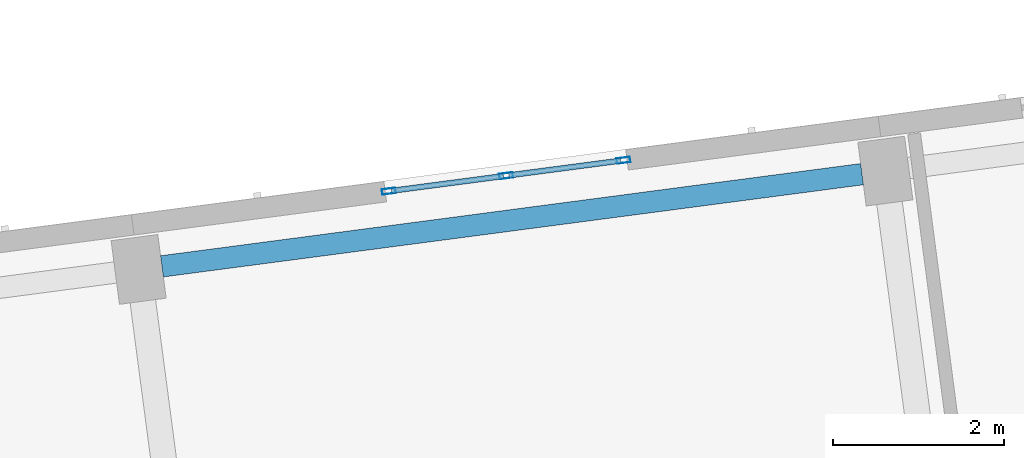
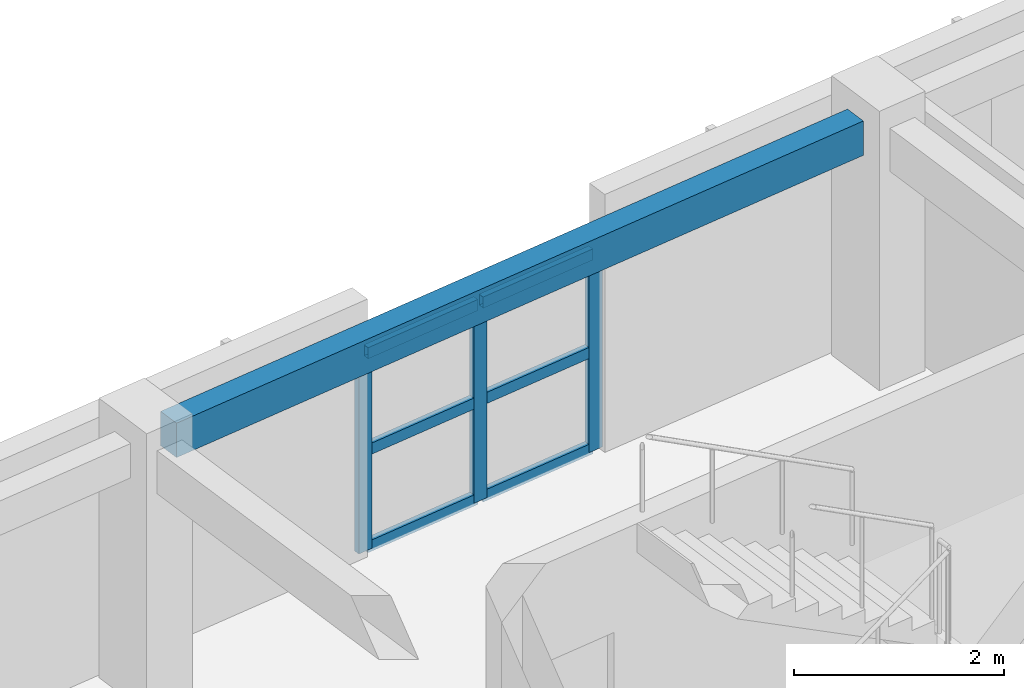
# One storey, part 5 of 64: 9 members, 1 beam, 1 element without a shape of its own.
"""IFC4 building model written with IfcOpenShell, lengths in metres."""

from ifc_helpers import new_model, si_unit, direction, frame, origin, origin_2d, place, context, subcontext, project, spatial, rectangle, hollow_rectangle, extrude, material, material_profile, profile_set, type_object, element, aggregate, save


model = new_model("IFC4")

# Units and contexts
model_context = context("Model", 3, precision=1e-05, world=origin(), true_north=direction((0.0, 1.0)))
body_context = subcontext(model_context, "Body", "Model", "MODEL_VIEW")
ifc_project = project(units=[si_unit("LENGTHUNIT", "METRE"), si_unit("AREAUNIT", "SQUARE_METRE"), si_unit("VOLUMEUNIT", "CUBIC_METRE"), si_unit("PLANEANGLEUNIT", "RADIAN"), si_unit("MASSUNIT", "GRAM", prefix="KILO")], contexts=[model_context])

# Site, building, storey
site_placement = place(None, origin())
site = spatial("IfcSite", under=ifc_project, at=site_placement, CompositionType="ELEMENT")
building_placement = place(site_placement, origin())
building = spatial("IfcBuilding", under=site, at=building_placement, Name="Kestramere Prow Commons", CompositionType="ELEMENT")
storey_placement = place(building_placement, frame((0.0, 0.0, 24.64990234375)))
storey = spatial("IfcBuildingStorey", under=building, at=storey_placement, Name="L07", CompositionType="ELEMENT", Elevation=24.64990234375)

# Curtain wall, members
ifc_material_1 = material(Name="Anodised Aluminium and Low-E Glass", Category="aluminium")
curtain_wall_type = type_object("IfcCurtainWallType", Name="CW-03 Glazed Curtain Wall 2830x2320", PredefinedType="USERDEFINED", material=ifc_material_1)
curtain_wall_placement = place(storey_placement, origin())
curtain_wall = element("IfcCurtainWall", 1, at=curtain_wall_placement, inside=storey, type_object=curtain_wall_type, Name="Block A L07 Stairwell Vertical Glazing 3", ObjectType="GLAZED CURTAIN WALL", PredefinedType="USERDEFINED")
ifc_material_2 = material(Name="Anodised Aluminium 6063-T6", Category="aluminium")
ifc_material_profile_1 = material_profile(ifc_material_2, hollow_rectangle(XDim=0.06494140625, YDim=0.159912109375, WallThickness=0.00390625, at=origin_2d()), Name="ALU-MUL 65x160")
ifc_profile_set_1 = profile_set([ifc_material_profile_1], Name="Anodised Aluminium 6063-T6")
member_type_1 = type_object("IfcMemberType", Name="CW-MUL-65x160", PredefinedType="MULLION", material=ifc_profile_set_1)
member_1_placement = place(storey_placement, frame((28.962158203125, 95.04052734375, 0.0), z_axis=(0.0, 0.0, 1.0), x_axis=(-0.130526494555, 0.991444821571, 0.0)))
member_1 = element("IfcMember", 2, at=member_1_placement, type_object=member_type_1, Name="CW-03 mullion 1", PredefinedType="MULLION", context=body_context, shape_type="SweptSolid", body=[
    extrude(hollow_rectangle(XDim=0.06494140625, YDim=0.159912109375, WallThickness=0.00390625, at=origin_2d()), origin(), (0.0, 0.0, 1.0), 2.320068359375),
])
member_2_placement = place(storey_placement, frame((30.332763671875, 95.220947265625, 0.0), z_axis=(0.0, 0.0, 1.0), x_axis=(-0.130526494555, 0.991444821571, 0.0)))
member_2 = element("IfcMember", 3, at=member_2_placement, type_object=member_type_1, Name="CW-03 mullion 2", PredefinedType="MULLION", context=body_context, shape_type="SweptSolid", body=[
    extrude(hollow_rectangle(XDim=0.06494140625, YDim=0.159912109375, WallThickness=0.00390625, at=origin_2d()), origin(), (0.0, 0.0, 1.0), 2.320068359375),
])
member_3_placement = place(storey_placement, frame((31.703369140625, 95.4013671875, 0.0), z_axis=(0.0, 0.0, 1.0), x_axis=(-0.130526494555, 0.991444821571, 0.0)))
member_3 = element("IfcMember", 4, at=member_3_placement, type_object=member_type_1, Name="CW-03 mullion 3", PredefinedType="MULLION", context=body_context, shape_type="SweptSolid", body=[
    extrude(hollow_rectangle(XDim=0.06494140625, YDim=0.159912109375, WallThickness=0.00390625, at=origin_2d()), origin(), (0.0, 0.0, 1.0), 2.320068359375),
])
ifc_material_profile_2 = material_profile(ifc_material_2, hollow_rectangle(XDim=0.06494140625, YDim=0.1298828125, WallThickness=0.00390625, at=origin_2d()), Name="ALU-TRN 65x130")
ifc_profile_set_2 = profile_set([ifc_material_profile_2], Name="Anodised Aluminium 6063-T6")
member_type_2 = type_object("IfcMemberType", Name="CW-TRN-65x130", PredefinedType="USERDEFINED", material=ifc_profile_set_2)
member_4_placement = place(storey_placement, frame((28.994384765625, 95.044677734375, 0.03271484375), z_axis=(0.99142904707, 0.130646257605, 0.0), x_axis=(-0.130646257605, 0.99142904707, 0.0)))
member_4 = element("IfcMember", 5, at=member_4_placement, type_object=member_type_2, Name="CW-03 transom 1.1", ObjectType="TRANSOM", PredefinedType="USERDEFINED", context=body_context, shape_type="SweptSolid", body=[
    extrude(hollow_rectangle(XDim=0.06494140625, YDim=0.1298828125, WallThickness=0.00390625, at=origin_2d()), origin(), (0.0, 0.0, 1.0), 1.3173828125),
])
member_5_placement = place(storey_placement, frame((28.994384765625, 95.044677734375, 1.16015625), z_axis=(0.99142904707, 0.130646257605, 0.0), x_axis=(-0.130646257605, 0.99142904707, 0.0)))
member_5 = element("IfcMember", 6, at=member_5_placement, type_object=member_type_2, Name="CW-03 transom 1.2", ObjectType="TRANSOM", PredefinedType="USERDEFINED", context=body_context, shape_type="SweptSolid", body=[
    extrude(hollow_rectangle(XDim=0.06494140625, YDim=0.1298828125, WallThickness=0.00390625, at=origin_2d()), origin(), (0.0, 0.0, 1.0), 1.3173828125),
])
member_6_placement = place(storey_placement, frame((28.994384765625, 95.044677734375, 2.28759765625), z_axis=(0.99142904707, 0.130646257605, 0.0), x_axis=(-0.130646257605, 0.99142904707, 0.0)))
member_6 = element("IfcMember", 7, at=member_6_placement, type_object=member_type_2, Name="CW-03 transom 1.3", ObjectType="TRANSOM", PredefinedType="USERDEFINED", context=body_context, shape_type="SweptSolid", body=[
    extrude(hollow_rectangle(XDim=0.06494140625, YDim=0.1298828125, WallThickness=0.00390625, at=origin_2d()), origin(), (0.0, 0.0, 1.0), 1.3173828125),
])
member_7_placement = place(storey_placement, frame((30.364990234375, 95.225341796875, 0.03271484375), z_axis=(0.991453033969, 0.130464100171, 0.0), x_axis=(-0.130464100171, 0.991453033969, 0.0)))
member_7 = element("IfcMember", 8, at=member_7_placement, type_object=member_type_2, Name="CW-03 transom 2.1", ObjectType="TRANSOM", PredefinedType="USERDEFINED", context=body_context, shape_type="SweptSolid", body=[
    extrude(hollow_rectangle(XDim=0.06494140625, YDim=0.1298828125, WallThickness=0.00390625, at=origin_2d()), origin(), (0.0, 0.0, 1.0), 1.3173828125),
])
member_8_placement = place(storey_placement, frame((30.364990234375, 95.225341796875, 1.16015625), z_axis=(0.991453033969, 0.130464100171, 0.0), x_axis=(-0.130464100171, 0.991453033969, 0.0)))
member_8 = element("IfcMember", 9, at=member_8_placement, type_object=member_type_2, Name="CW-03 transom 2.2", ObjectType="TRANSOM", PredefinedType="USERDEFINED", context=body_context, shape_type="SweptSolid", body=[
    extrude(hollow_rectangle(XDim=0.06494140625, YDim=0.1298828125, WallThickness=0.00390625, at=origin_2d()), origin(), (0.0, 0.0, 1.0), 1.3173828125),
])
member_9_placement = place(storey_placement, frame((30.364990234375, 95.225341796875, 2.28759765625), z_axis=(0.991453033969, 0.130464100171, 0.0), x_axis=(-0.130464100171, 0.991453033969, 0.0)))
member_9 = element("IfcMember", 10, at=member_9_placement, type_object=member_type_2, Name="CW-03 transom 2.3", ObjectType="TRANSOM", PredefinedType="USERDEFINED", context=body_context, shape_type="SweptSolid", body=[
    extrude(hollow_rectangle(XDim=0.06494140625, YDim=0.1298828125, WallThickness=0.00390625, at=origin_2d()), origin(), (0.0, 0.0, 1.0), 1.3173828125),
])
aggregate(curtain_wall, [member_1, member_2, member_3, member_4, member_5, member_6, member_7, member_8, member_9])

# Beam
ifc_material_3 = material(Name="Precast concrete C40/50", Category="concrete")
ifc_material_profile_3 = material_profile(ifc_material_3, rectangle(XDim=0.25, YDim=0.39990234375, at=origin_2d()), Name="PC-SP 250x400")
ifc_profile_set_3 = profile_set([ifc_material_profile_3], Name="Precast concrete C40/50")
beam_type = type_object("IfcBeamType", Name="SP-EXT-01 PC-SP 250x400", PredefinedType="SPANDREL", material=ifc_profile_set_3)
beam_placement = place(storey_placement, frame((26.3115234375, 94.162109375, 2.800048828125), z_axis=(0.991443917843, 0.130533358852, 0.0), x_axis=(-0.130533358852, 0.991443917843, 0.0)))
element("IfcBeam", 11, at=beam_placement, inside=storey, type_object=beam_type, Name="Block A L07 Longitudinal Beam 4-3", PredefinedType="SPANDREL", context=body_context, shape_type="SweptSolid", body=[
    extrude(rectangle(XDim=0.25, YDim=0.39990234375, at=origin_2d()), origin(), (0.0, 0.0, 1.0), 8.25),
])

save(model, "model.ifc")
